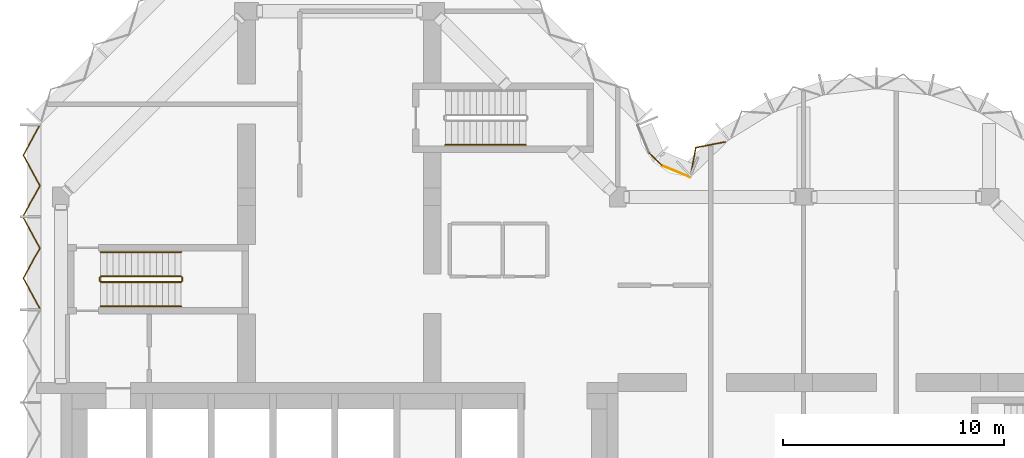
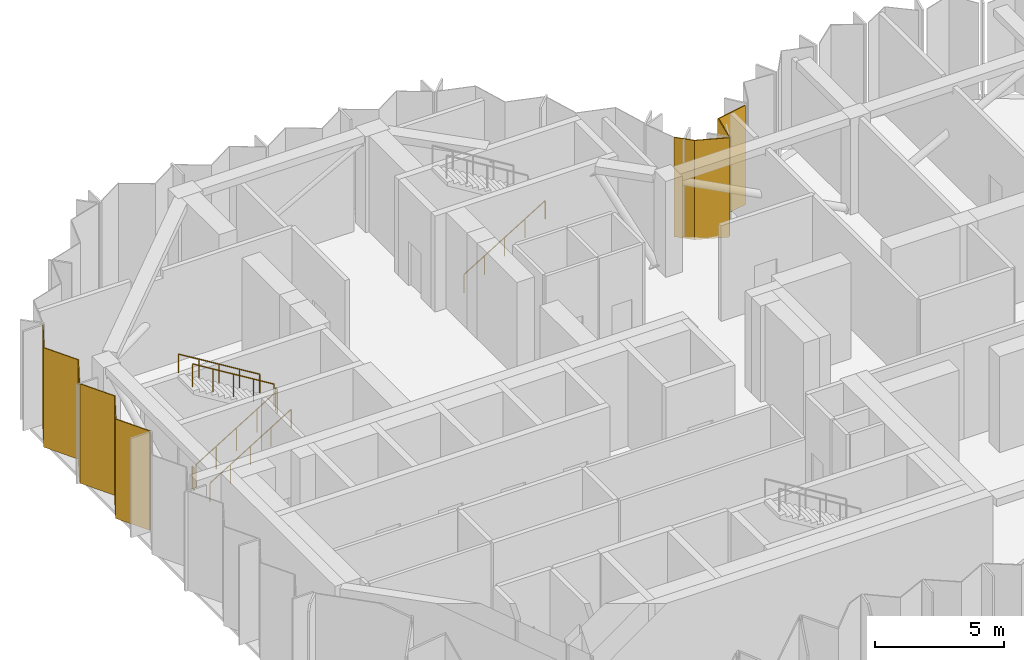
# One storey, part 10 of 13: 7 railings, 5 coverings, 3 elements without a shape of their own.
"""IFC4 building model written with IfcOpenShell, lengths in metres."""

from ifc_helpers import new_model, si_unit, direction, frame, origin, origin_2d, place, context, subcontext, project, spatial, polyline, circle, outline, extrude, material, layer, layer_set, type_object, element, aggregate, save


model = new_model("IFC4")

# Units and contexts
model_context = context("Model", 3, precision=1e-05, world=origin(), true_north=direction((0.0, 1.0)))
body_context = subcontext(model_context, "Body", "Model", "MODEL_VIEW")
ifc_project = project(units=[si_unit("LENGTHUNIT", "METRE"), si_unit("AREAUNIT", "SQUARE_METRE"), si_unit("VOLUMEUNIT", "CUBIC_METRE"), si_unit("PLANEANGLEUNIT", "RADIAN"), si_unit("MASSUNIT", "GRAM", prefix="KILO")], contexts=[model_context])

# Site, building, storey
site_placement = place(None, origin())
site = spatial("IfcSite", under=ifc_project, at=site_placement, CompositionType="ELEMENT")
building_placement = place(site_placement, origin())
building = spatial("IfcBuilding", under=site, at=building_placement, Name="Brevane Broadcast Tower", CompositionType="ELEMENT")
storey_placement = place(building_placement, frame((0.0, 0.0, 210.89990234375)))
storey = spatial("IfcBuildingStorey", under=building, at=storey_placement, Name="L53", CompositionType="ELEMENT", Elevation=210.89990234375)

# Curtain wall, covering
ifc_material_1 = material(Name="Aluminium 6063-T6 bronze anodised", Category="aluminium")
curtain_wall_type = type_object("IfcCurtainWallType", Name="CW-3 curtain wall", PredefinedType="NOTDEFINED", material=ifc_material_1)
curtain_wall_1_placement = place(storey_placement, origin())
curtain_wall_1 = element("IfcCurtainWall", 1, at=curtain_wall_1_placement, inside=storey, type_object=curtain_wall_type, Name="CW-3 refuge louvre unit L53 east bow", PredefinedType="NOTDEFINED")
ifc_material_2 = material(Name="Aluminium bronze anodised cladding", Category="aluminium")
ifc_layer_1 = layer(ifc_material_2, 0.050048828125)
ifc_layer_set_1 = layer_set([ifc_layer_1], Name="CW refuge spandrel 50")
covering_type_1 = type_object("IfcCoveringType", Name="CW refuge spandrel 50", PredefinedType="CLADDING", material=ifc_layer_set_1)
covering_1_placement = place(storey_placement, frame((0.0, 0.0, -0.159912109375)))
covering_1 = element("IfcCovering", 2, at=covering_1_placement, type_object=covering_type_1, Name="Refuge cladding panel", PredefinedType="CLADDING", context=body_context, shape_type="SweptSolid", body=[
    extrude(outline(polyline([(30.08544921875, 27.672607421875), (30.057861328125, 27.7080078125), (28.713623046875, 27.447265625), (28.4755859375, 26.1826171875), (28.509521484375, 26.1474609375), (28.748046875, 27.4130859375), (30.08544921875, 27.672607421875)])), origin(), (0.0, 0.0, 1.0), 4.7099609375),
])
aggregate(curtain_wall_1, [covering_1])

curtain_wall_2_placement = place(storey_placement, origin())
curtain_wall_2 = element("IfcCurtainWall", 3, at=curtain_wall_2_placement, inside=storey, type_object=curtain_wall_type, Name="CW-3 refuge louvre unit L53 inner corner", PredefinedType="NOTDEFINED")
covering_2_placement = place(storey_placement, frame((0.0, 0.0, -0.159912109375)))
covering_2 = element("IfcCovering", 4, at=covering_2_placement, type_object=covering_type_1, Name="Refuge cladding panel", PredefinedType="CLADDING", context=body_context, shape_type="SweptSolid", body=[
    extrude(outline(polyline([(28.447021484375, 26.07666015625), (28.46240234375, 26.113525390625), (27.20703125, 26.63330078125), (27.176513671875, 26.602783203125), (28.447021484375, 26.07666015625)])), origin(), (0.0, 0.0, 1.0), 4.7099609375),
])

# Curtain wall, coverings
curtain_wall_3_placement = place(storey_placement, origin())
curtain_wall_3 = element("IfcCurtainWall", 5, at=curtain_wall_3_placement, inside=storey, type_object=curtain_wall_type, Name="CW-3 refuge louvre unit L53 west face", PredefinedType="NOTDEFINED")
covering_3_placement = place(storey_placement, frame((0.0, 0.0, -0.159912109375)))
covering_3 = element("IfcCovering", 6, at=covering_3_placement, type_object=covering_type_1, Name="Refuge cladding panel", PredefinedType="CLADDING", context=body_context, shape_type="SweptSolid", body=[
    extrude(outline(polyline([(-0.92724609375, 28.4599609375), (-0.97265625, 28.4599609375), (-1.717041015625, 27.086669921875), (-0.97265625, 25.71337890625), (-1.717041015625, 24.340087890625), (-1.671630859375, 24.340087890625), (-0.92724609375, 25.71337890625), (-1.671630859375, 27.086669921875), (-0.92724609375, 28.4599609375)])), origin(), (0.0, 0.0, 1.0), 4.7099609375),
])
covering_4_placement = place(storey_placement, frame((0.0, 0.0, -0.159912109375)))
covering_4 = element("IfcCovering", 7, at=covering_4_placement, type_object=covering_type_1, Name="Refuge cladding panel", PredefinedType="CLADDING", context=body_context, shape_type="SweptSolid", body=[
    extrude(outline(polyline([(-1.671630859375, 24.260009765625), (-1.717041015625, 24.260009765625), (-0.97265625, 22.88671875), (-1.717041015625, 21.51318359375), (-0.97265625, 20.139892578125), (-0.92724609375, 20.139892578125), (-1.671630859375, 21.51318359375), (-0.92724609375, 22.88671875), (-1.671630859375, 24.260009765625)])), origin(), (0.0, 0.0, 1.0), 4.7099609375),
])
aggregate(curtain_wall_3, [covering_3, covering_4])

# Railings
ifc_material_3 = material(Name="Steel S355", Category="steel")
railing_type_1 = type_object("IfcRailingType", Name="Exit stair guard", PredefinedType="GUARDRAIL", material=ifc_material_3)
railing_1_placement = place(storey_placement, frame((1.800048828125, 21.35009765625, 0.171630859375)))
element("IfcRailing", 8, at=railing_1_placement, inside=storey, type_object=railing_type_1, Name="L53 ST-1 stair guard 1", PredefinedType="GUARDRAIL", context=body_context, shape_type="SweptSolid", body=[
    extrude(circle(Radius=0.02392578125, at=origin_2d()), frame((0.0, 0.0, 1.076171875), z_axis=(0.852850264322, 0.0, 0.5221555579), x_axis=(0.0, 1.0, 0.0)), (0.0, 0.0, 1.0), 4.267822265625),
    extrude(circle(Radius=0.02099609375, at=origin_2d()), origin(), (0.0, 0.0, 1.0), 1.052001953125),
    extrude(circle(Radius=0.02099609375, at=origin_2d()), frame((0.909912109375, 0.0, 0.55712890625)), (0.0, 0.0, 1.0), 1.052001953125),
    extrude(circle(Radius=0.02099609375, at=origin_2d()), frame((1.81982421875, 0.0, 1.1142578125)), (0.0, 0.0, 1.0), 1.052001953125),
    extrude(circle(Radius=0.02099609375, at=origin_2d()), frame((2.72998046875, 0.0, 1.67138671875)), (0.0, 0.0, 1.0), 1.052001953125),
    extrude(circle(Radius=0.02099609375, at=origin_2d()), frame((3.639892578125, 0.0, 2.228515625)), (0.0, 0.0, 1.0), 1.052001953125),
])
railing_2_placement = place(storey_placement, frame((5.489990234375, 21.39990234375, 2.400146484375)))
element("IfcRailing", 9, at=railing_2_placement, inside=storey, type_object=railing_type_1, Name="L53 ST-1 stair guard 2", PredefinedType="GUARDRAIL", context=body_context, shape_type="SweptSolid", body=[
    extrude(circle(Radius=0.02392578125, at=origin_2d()), frame((0.0, 0.0, 1.076171875), z_axis=(0.0, 1.0, 0.0), x_axis=(-1.0, 0.0, 0.0)), (0.0, 0.0, 1.0), 0.150146484375),
    extrude(circle(Radius=0.02099609375, at=origin_2d()), origin(), (0.0, 0.0, 1.0), 1.052001953125),
    extrude(circle(Radius=0.02099609375, at=origin_2d()), frame((0.0, 0.150146484375, 0.0)), (0.0, 0.0, 1.0), 1.052001953125),
])
railing_3_placement = place(storey_placement, frame((5.43994140625, 21.60009765625, 2.571533203125)))
element("IfcRailing", 10, at=railing_3_placement, inside=storey, type_object=railing_type_1, Name="L53 ST-1 stair guard 3", PredefinedType="GUARDRAIL", context=body_context, shape_type="SweptSolid", body=[
    extrude(circle(Radius=0.02392578125, at=origin_2d()), frame((0.0, 0.0, 1.076171875), z_axis=(-0.852850264322, 0.0, 0.5221555579), x_axis=(0.0, -1.0, 0.0)), (0.0, 0.0, 1.0), 4.267822265625),
    extrude(circle(Radius=0.02099609375, at=origin_2d()), origin(), (0.0, 0.0, 1.0), 1.052001953125),
    extrude(circle(Radius=0.02099609375, at=origin_2d()), frame((-0.909912109375, 0.0, 0.55712890625)), (0.0, 0.0, 1.0), 1.052001953125),
    extrude(circle(Radius=0.02099609375, at=origin_2d()), frame((-1.81982421875, 0.0, 1.1142578125)), (0.0, 0.0, 1.0), 1.052001953125),
    extrude(circle(Radius=0.02099609375, at=origin_2d()), frame((-2.72998046875, 0.0, 1.67138671875)), (0.0, 0.0, 1.0), 1.052001953125),
    extrude(circle(Radius=0.02099609375, at=origin_2d()), frame((-3.639892578125, 0.0, 2.228515625)), (0.0, 0.0, 1.0), 1.052001953125),
])
railing_4_placement = place(storey_placement, frame((1.75, 21.39990234375, 0.0)))
element("IfcRailing", 11, at=railing_4_placement, inside=storey, type_object=railing_type_1, Name="L53 ST-1 stair guard 4", PredefinedType="GUARDRAIL", context=body_context, shape_type="SweptSolid", body=[
    extrude(circle(Radius=0.02392578125, at=origin_2d()), frame((0.0, 0.0, 1.076171875), z_axis=(0.0, 1.0, 0.0), x_axis=(-1.0, 0.0, 0.0)), (0.0, 0.0, 1.0), 0.150146484375),
    extrude(circle(Radius=0.02099609375, at=origin_2d()), origin(), (0.0, 0.0, 1.0), 1.052001953125),
    extrude(circle(Radius=0.02099609375, at=origin_2d()), frame((0.0, 0.150146484375, 0.0)), (0.0, 0.0, 1.0), 1.052001953125),
])
railing_type_2 = type_object("IfcRailingType", Name="Exit stair handrail", PredefinedType="HANDRAIL", material=ifc_material_3)
railing_5_placement = place(storey_placement, frame((1.800048828125, 20.25, 0.171630859375)))
element("IfcRailing", 12, at=railing_5_placement, inside=storey, type_object=railing_type_2, Name="L53 ST-1 stair handrail 1", PredefinedType="HANDRAIL", context=body_context, shape_type="SweptSolid", body=[
    extrude(circle(Radius=0.02392578125, at=origin_2d()), frame((0.0, 0.0, 0.8759765625), z_axis=(0.852850264322, 0.0, 0.5221555579), x_axis=(0.0, 1.0, 0.0)), (0.0, 0.0, 1.0), 4.267822265625),
    extrude(circle(Radius=0.02099609375, at=origin_2d()), origin(), (0.0, 0.0, 1.0), 0.851806640625),
    extrude(circle(Radius=0.02099609375, at=origin_2d()), frame((0.909912109375, 0.0, 0.55712890625)), (0.0, 0.0, 1.0), 0.851806640625),
    extrude(circle(Radius=0.02099609375, at=origin_2d()), frame((1.81982421875, 0.0, 1.1142578125)), (0.0, 0.0, 1.0), 0.851806640625),
    extrude(circle(Radius=0.02099609375, at=origin_2d()), frame((2.72998046875, 0.0, 1.67138671875)), (0.0, 0.0, 1.0), 0.851806640625),
    extrude(circle(Radius=0.02099609375, at=origin_2d()), frame((3.639892578125, 0.0, 2.228515625)), (0.0, 0.0, 1.0), 0.851806640625),
])
railing_6_placement = place(storey_placement, frame((5.43994140625, 22.699951171875, 2.571533203125)))
element("IfcRailing", 13, at=railing_6_placement, inside=storey, type_object=railing_type_2, Name="L53 ST-1 stair handrail 2", PredefinedType="HANDRAIL", context=body_context, shape_type="SweptSolid", body=[
    extrude(circle(Radius=0.02392578125, at=origin_2d()), frame((0.0, 0.0, 0.8759765625), z_axis=(-0.852850264322, 0.0, 0.5221555579), x_axis=(0.0, -1.0, 0.0)), (0.0, 0.0, 1.0), 4.267822265625),
    extrude(circle(Radius=0.02099609375, at=origin_2d()), origin(), (0.0, 0.0, 1.0), 0.851806640625),
    extrude(circle(Radius=0.02099609375, at=origin_2d()), frame((-0.909912109375, 0.0, 0.55712890625)), (0.0, 0.0, 1.0), 0.851806640625),
    extrude(circle(Radius=0.02099609375, at=origin_2d()), frame((-1.81982421875, 0.0, 1.1142578125)), (0.0, 0.0, 1.0), 0.851806640625),
    extrude(circle(Radius=0.02099609375, at=origin_2d()), frame((-2.72998046875, 0.0, 1.67138671875)), (0.0, 0.0, 1.0), 0.851806640625),
    extrude(circle(Radius=0.02099609375, at=origin_2d()), frame((-3.639892578125, 0.0, 2.228515625)), (0.0, 0.0, 1.0), 0.851806640625),
])
railing_7_placement = place(storey_placement, frame((17.39990234375, 27.550048828125, 0.171630859375)))
element("IfcRailing", 14, at=railing_7_placement, inside=storey, type_object=railing_type_2, Name="L53 ST-3 stair handrail 1", PredefinedType="HANDRAIL", context=body_context, shape_type="SweptSolid", body=[
    extrude(circle(Radius=0.02392578125, at=origin_2d()), frame((0.0, 0.0, 0.8759765625), z_axis=(0.852865859571, 0.0, 0.52213008492), x_axis=(0.0, 1.0, 0.0)), (0.0, 0.0, 1.0), 4.26806640625),
    extrude(circle(Radius=0.02099609375, at=origin_2d()), origin(), (0.0, 0.0, 1.0), 0.851806640625),
    extrude(circle(Radius=0.02099609375, at=origin_2d()), frame((0.91015625, 0.0, 0.55712890625)), (0.0, 0.0, 1.0), 0.851806640625),
    extrude(circle(Radius=0.02099609375, at=origin_2d()), frame((1.820068359375, 0.0, 1.1142578125)), (0.0, 0.0, 1.0), 0.851806640625),
    extrude(circle(Radius=0.02099609375, at=origin_2d()), frame((2.72998046875, 0.0, 1.67138671875)), (0.0, 0.0, 1.0), 0.851806640625),
    extrude(circle(Radius=0.02099609375, at=origin_2d()), frame((3.64013671875, 0.0, 2.228515625)), (0.0, 0.0, 1.0), 0.851806640625),
])

# Covering
ifc_material_4 = material(Name="Back-painted bronze glass shadow-box", Category="glass")
ifc_layer_2 = layer(ifc_material_4, 0.0400390625)
ifc_layer_set_2 = layer_set([ifc_layer_2], Name="Shadow-box panel 40")
covering_type_2 = type_object("IfcCoveringType", Name="Shadow-box panel 40", PredefinedType="CLADDING", material=ifc_layer_set_2)
covering_5_placement = place(storey_placement, frame((0.0, 0.0, -0.159912109375)))
covering_5 = element("IfcCovering", 15, at=covering_5_placement, type_object=covering_type_2, Name="Closure panel", PredefinedType="CLADDING", context=body_context, shape_type="SweptSolid", body=[
    extrude(outline(polyline([(27.176513671875, 26.602783203125), (27.20703125, 26.63330078125), (26.63330078125, 27.20703125), (26.602783203125, 27.176513671875), (27.176513671875, 26.602783203125)])), origin(), (0.0, 0.0, 1.0), 4.7099609375),
])

aggregate(curtain_wall_2, [covering_2, covering_5])

save(model, "model.ifc")
